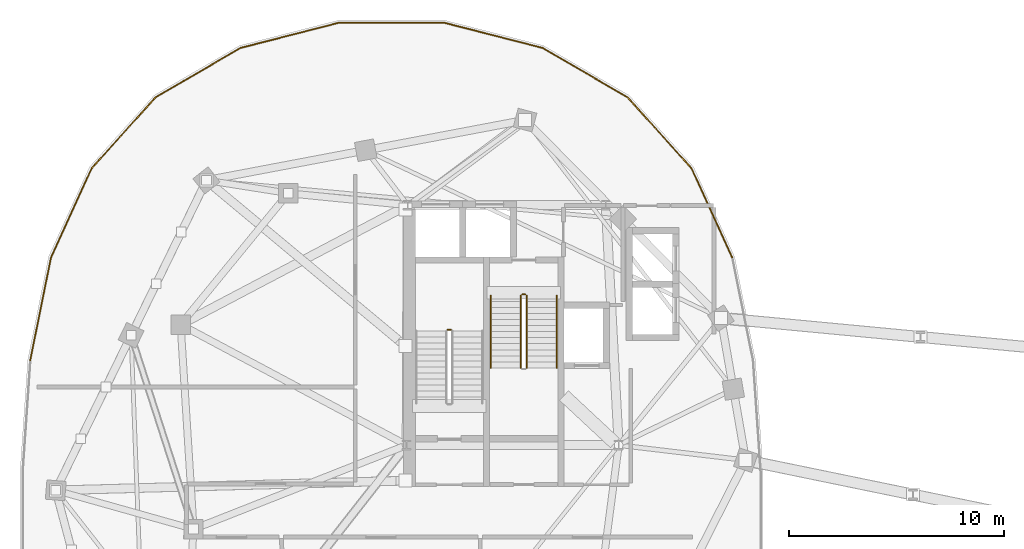
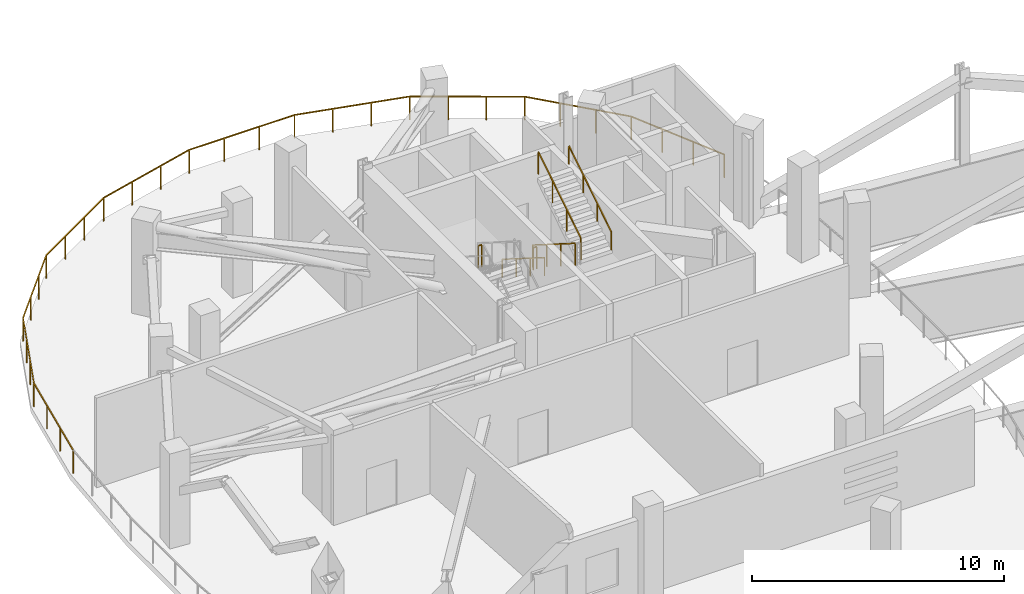
# One storey, part 13 of 16: 11 railings.
"""IFC4 building model written with IfcOpenShell, lengths in metres."""

import ifcopenshell
import ifcopenshell.guid

model = None  # the IFC model being written
_history = None  # IfcOwnerHistory: only IFC2X3 demands one
_inside = {}  # id of a spatial element -> (the spatial element, [elements in it])
_under = {}  # id of a project, library or spatial element -> (it, [spatial elements below it])
_declared = {}  # id of a project -> (the project, [libraries it declares])
_typed = {}  # id of a type object -> (the type object, [elements of that type])
_made_of = {}  # id of a material, layer set ... -> (it, [elements and type objects made of it])


def new_model(schema):
    """Start an empty IFC model of exactly this schema.

    Asked for "IFC4X3", IfcOpenShell would pick the latest addendum, in which some entities
    have other attributes; the version numbers below select the first issue.
    IFC2X3 requires an IfcOwnerHistory on every rooted entity: one is made here for all.
    """
    global model, _history
    if schema == "IFC4X3":
        model = ifcopenshell.file(schema_version=(4, 3, 0, 0))
    else:
        model = ifcopenshell.file(schema=schema)
    _inside.clear()
    _under.clear()
    _declared.clear()
    _typed.clear()
    _made_of.clear()
    _history = None
    if model.schema == "IFC2X3":
        org = make("IfcOrganization", Name="unknown")
        user = make(
            "IfcPersonAndOrganization",
            ThePerson=make("IfcPerson", FamilyName="unknown"),
            TheOrganization=org,
        )
        app = make(
            "IfcApplication",
            ApplicationDeveloper=org,
            Version="unknown",
            ApplicationFullName="unknown",
            ApplicationIdentifier="unknown",
        )
        _history = make(
            "IfcOwnerHistory",
            OwningUser=user,
            OwningApplication=app,
            ChangeAction="ADDED",
            CreationDate=0,
        )
    return model


def make(cls, **values):
    """One entity of the class cls with the attributes given. An attribute that is None is left unset."""
    return model.create_entity(
        cls, **{name: value for name, value in values.items() if value is not None}
    )


def rooted(cls, **values):
    """An entity with a GlobalId (a new one), such as an element, a storey or a relation."""
    return make(cls, GlobalId=ifcopenshell.guid.new(), OwnerHistory=_history, **values)


def si_unit(unit_type, name, prefix=None):
    """IfcSIUnit, for example si_unit("LENGTHUNIT", "METRE", prefix="MILLI")."""
    return make("IfcSIUnit", UnitType=unit_type, Prefix=prefix, Name=name)


def assignment(units):
    """IfcUnitAssignment: the units of a project."""
    return None if units is None else make("IfcUnitAssignment", Units=units)


def point(xyz):
    """IfcCartesianPoint."""
    return None if xyz is None else make("IfcCartesianPoint", Coordinates=xyz)


def direction(xyz):
    """IfcDirection."""
    return None if xyz is None else make("IfcDirection", DirectionRatios=xyz)


def frame(location, z_axis=None, x_axis=None):
    """IfcAxis2Placement3D, a coordinate frame: its origin and axes. An axis left out is left unset."""
    return make(
        "IfcAxis2Placement3D",
        Location=point(location),
        Axis=direction(z_axis),
        RefDirection=direction(x_axis),
    )


def frame_2d(location, x_axis=None):
    """IfcAxis2Placement2D, a coordinate frame in the plane: its origin and x axis."""
    return make(
        "IfcAxis2Placement2D", Location=point(location), RefDirection=direction(x_axis)
    )


def origin():
    """The frame at (0, 0, 0) with its axes left unset."""
    return frame((0.0, 0.0, 0.0))


def origin_2d():
    """The frame at (0, 0) in the plane with its x axis left unset."""
    return frame_2d((0.0, 0.0))


def place(relative_to, where):
    """IfcLocalPlacement: puts the frame where relative to a parent placement (None: the world)."""
    return make(
        "IfcLocalPlacement", PlacementRelTo=relative_to, RelativePlacement=where
    )


def context(
    kind, dimensions, precision=None, world=None, true_north=None, identifier=None
):
    """IfcGeometricRepresentationContext, for example the 3D "Model" context."""
    return make(
        "IfcGeometricRepresentationContext",
        ContextIdentifier=identifier,
        ContextType=kind,
        CoordinateSpaceDimension=dimensions,
        Precision=precision,
        WorldCoordinateSystem=world,
        TrueNorth=true_north,
    )


def subcontext(parent, identifier, kind, view, scale=None):
    """IfcGeometricRepresentationSubContext, for example "Body" below "Model"."""
    return make(
        "IfcGeometricRepresentationSubContext",
        ContextIdentifier=identifier,
        ContextType=kind,
        ParentContext=parent,
        TargetScale=scale,
        TargetView=view,
    )


def project(units=None, contexts=None):
    """IfcProject with its units and contexts."""
    return rooted(
        "IfcProject",
        Name="project",
        RepresentationContexts=contexts,
        UnitsInContext=assignment(units),
    )


def spatial(cls, under=None, at=None, **own):
    """A site, building, storey or space (cls), placed at a placement, below another one or the project."""
    s = rooted(cls, ObjectPlacement=at, **own)
    if under is not None:
        _under.setdefault(under.id(), (under, []))[1].append(s)
    return s


def profile(cls, at=None, kind="AREA", **sizes):
    """A parametric profile (cls). Its sizes go by their IFC names, for example OverallWidth=200.0."""
    return make(cls, ProfileType=kind, Position=at, **sizes)


def rectangle(**sizes):
    """IfcRectangleProfileDef."""
    return profile("IfcRectangleProfileDef", **sizes)


def extrude(swept, where, along, depth):
    """IfcExtrudedAreaSolid: the profile swept, set in the frame where, extruded along a direction by depth."""
    return make(
        "IfcExtrudedAreaSolid",
        SweptArea=swept,
        Position=where,
        ExtrudedDirection=direction(along),
        Depth=depth,
    )


def shape(context_of_items, identifier, shape_type, items):
    """IfcShapeRepresentation: the items that make up one representation, for example the "Body"."""
    return make(
        "IfcShapeRepresentation",
        ContextOfItems=context_of_items,
        RepresentationIdentifier=identifier,
        RepresentationType=shape_type,
        Items=items,
    )


def material(Name=None, Category=None):
    """IfcMaterial."""
    return make("IfcMaterial", Name=Name, Category=Category)


def made_of(thing, what):
    """Note that an element or type object is made of a material, layer set ...; save() writes the relation."""
    if what is not None:
        _made_of.setdefault(what.id(), (what, []))[1].append(thing)
    return thing


def type_object(cls, material=None, **own):
    """A type object (cls), such as IfcWallType, which elements share."""
    return made_of(rooted(cls, **own), material)


def element(
    cls,
    number,
    at=None,
    inside=None,
    cuts=None,
    type_object=None,
    material=None,
    context=None,
    identifier="Body",
    shape_type=None,
    held_by="IfcProductDefinitionShape",
    body=None,
    shapes=None,
    **own,
):
    """One element of the class cls, such as IfcWall. Its Tag is "e" and its number.

    at: its placement. inside: the storey or other place that contains it. cuts: it is an
    opening in that element (IfcRelVoidsElement). A single representation is given by context,
    identifier, shape_type and body (its items); several are given by shapes. held_by: the class
    of the entity that holds the representations. save() writes the other relations.
    """
    e = rooted(cls, Tag="e%d" % number, ObjectPlacement=at, **own)
    if body is not None:
        shapes = [shape(context, identifier, shape_type, body)]
    if shapes is not None:
        e.Representation = make(held_by, Representations=shapes)
    if inside is not None:
        _inside.setdefault(inside.id(), (inside, []))[1].append(e)
    if cuts is not None:
        rooted(
            "IfcRelVoidsElement", RelatingBuildingElement=cuts, RelatedOpeningElement=e
        )
    if type_object is not None:
        _typed.setdefault(type_object.id(), (type_object, []))[1].append(e)
    return made_of(e, material)


def aggregate(whole, parts):
    """IfcRelAggregates: a whole, such as a stair, and the parts it consists of."""
    return rooted("IfcRelAggregates", RelatingObject=whole, RelatedObjects=parts)


def save(model, path):
    """Write the relations noted so far, then the file.

    IfcRelAggregates (storeys below a building ...), IfcRelContainedInSpatialStructure (elements
    in a storey), IfcRelDefinesByType, IfcRelAssociatesMaterial and IfcRelDeclares: one each for
    every whole, place, type object, material and project.
    """
    for whole, parts in _under.values():
        aggregate(whole, parts)
    for where, things in _inside.values():
        rooted(
            "IfcRelContainedInSpatialStructure",
            RelatedElements=things,
            RelatingStructure=where,
        )
    for kind, things in _typed.values():
        rooted("IfcRelDefinesByType", RelatedObjects=things, RelatingType=kind)
    for what, things in _made_of.values():
        rooted("IfcRelAssociatesMaterial", RelatedObjects=things, RelatingMaterial=what)
    for by, libraries in _declared.values():
        rooted("IfcRelDeclares", RelatingContext=by, RelatedDefinitions=libraries)
    model.write(path)


model = new_model("IFC4")

# Units and contexts
model_context = context("Model", 3, precision=1e-05, world=origin(), true_north=direction((0.0, 1.0)))
body_context = subcontext(model_context, "Body", "Model", "MODEL_VIEW")
ifc_project = project(units=[si_unit("LENGTHUNIT", "METRE"), si_unit("AREAUNIT", "SQUARE_METRE"), si_unit("VOLUMEUNIT", "CUBIC_METRE"), si_unit("PLANEANGLEUNIT", "RADIAN"), si_unit("MASSUNIT", "GRAM", prefix="KILO"), si_unit("THERMODYNAMICTEMPERATUREUNIT", "KELVIN"), si_unit("POWERUNIT", "WATT")], contexts=[model_context])

# Site, building, storey
site_placement = place(None, origin())
site = spatial("IfcSite", under=ifc_project, at=site_placement, CompositionType="ELEMENT")
building_placement = place(site_placement, origin())
building = spatial("IfcBuilding", under=site, at=building_placement, Name="Cundina Bronze Exchange", CompositionType="ELEMENT")
storey_placement = place(building_placement, frame((0.0, 0.0, 235.0)))
storey = spatial("IfcBuildingStorey", under=building, at=storey_placement, Name="L62", CompositionType="ELEMENT", Elevation=235.0)

# Railings
ifc_material_1 = material(Name="Anodised Bronze Aluminium 6063-T6", Category="aluminium")
railing_type_1 = type_object("IfcRailingType", Name="RLG-GRD-1150", PredefinedType="GUARDRAIL", material=ifc_material_1)
railing_1_placement = place(storey_placement, frame((-48.785888671875, 7.844970703125, 0.0)))
element("IfcRailing", 1, at=railing_1_placement, inside=storey, type_object=railing_type_1, Name="L62 Perimeter Safety Guardrail 09", PredefinedType="GUARDRAIL", context=body_context, shape_type="SweptSolid", body=[
    extrude(rectangle(XDim=0.048095703125, YDim=0.048095703125, at=origin_2d()), frame((0.0, 0.0, 1.1259765625), z_axis=(0.198060616224, 0.980189773616, 0.0), x_axis=(-0.980189773616, 0.198060616224, 0.0)), (0.0, 0.0, 1.0), 4.87646484375),
    extrude(rectangle(XDim=0.048095703125, YDim=0.048095703125, at=origin_2d()), frame((0.9658203125, 4.77978515625, 1.1259765625), z_axis=(0.415419797692, 0.909629810244, 0.0), x_axis=(-0.909629810244, 0.415419797692, 0.0)), (0.0, 0.0, 1.0), 4.548828125),
    extrude(rectangle(XDim=0.0419921875, YDim=0.0419921875, at=origin_2d()), origin(), (0.0, 0.0, 1.0), 1.101806640625),
    extrude(rectangle(XDim=0.0419921875, YDim=0.0419921875, at=origin_2d()), frame((0.322021484375, 1.59326171875, 0.0)), (0.0, 0.0, 1.0), 1.101806640625),
    extrude(rectangle(XDim=0.0419921875, YDim=0.0419921875, at=origin_2d()), frame((0.643798828125, 3.1865234375, 0.0)), (0.0, 0.0, 1.0), 1.101806640625),
    extrude(rectangle(XDim=0.0419921875, YDim=0.0419921875, at=origin_2d()), frame((0.9658203125, 4.77978515625, 0.0)), (0.0, 0.0, 1.0), 1.101806640625),
    extrude(rectangle(XDim=0.0419921875, YDim=0.0419921875, at=origin_2d()), frame((1.595703125, 6.158935546875, 0.0)), (0.0, 0.0, 1.0), 1.101806640625),
    extrude(rectangle(XDim=0.0419921875, YDim=0.0419921875, at=origin_2d()), frame((2.2255859375, 7.538330078125, 0.0)), (0.0, 0.0, 1.0), 1.101806640625),
    extrude(rectangle(XDim=0.0419921875, YDim=0.0419921875, at=origin_2d()), frame((2.85546875, 8.91748046875, 0.0)), (0.0, 0.0, 1.0), 1.101806640625),
])
railing_2_placement = place(storey_placement, frame((-45.930419921875, 16.762451171875, 0.0)))
element("IfcRailing", 2, at=railing_2_placement, inside=storey, type_object=railing_type_1, Name="L62 Perimeter Safety Guardrail 10", PredefinedType="GUARDRAIL", context=body_context, shape_type="SweptSolid", body=[
    extrude(rectangle(XDim=0.048095703125, YDim=0.048095703125, at=origin_2d()), frame((0.0, 0.0, 1.1259765625), z_axis=(0.669381252421, 0.742919066189, 0.0), x_axis=(-0.742919066189, 0.669381252421, 0.0)), (0.0, 0.0, 1.0), 4.435546875),
    extrude(rectangle(XDim=0.048095703125, YDim=0.048095703125, at=origin_2d()), frame((2.968994140625, 3.295166015625, 1.1259765625), z_axis=(0.864468804017, 0.502686469762, 0.0), x_axis=(-0.502686469762, 0.864468804017, 0.0)), (0.0, 0.0, 1.0), 4.56396484375),
    extrude(rectangle(XDim=0.0419921875, YDim=0.0419921875, at=origin_2d()), origin(), (0.0, 0.0, 1.0), 1.101806640625),
    extrude(rectangle(XDim=0.0419921875, YDim=0.0419921875, at=origin_2d()), frame((0.98974609375, 1.098388671875, 0.0)), (0.0, 0.0, 1.0), 1.101806640625),
    extrude(rectangle(XDim=0.0419921875, YDim=0.0419921875, at=origin_2d()), frame((1.979248046875, 2.19677734375, 0.0)), (0.0, 0.0, 1.0), 1.101806640625),
    extrude(rectangle(XDim=0.0419921875, YDim=0.0419921875, at=origin_2d()), frame((2.968994140625, 3.295166015625, 0.0)), (0.0, 0.0, 1.0), 1.101806640625),
    extrude(rectangle(XDim=0.0419921875, YDim=0.0419921875, at=origin_2d()), frame((4.2841796875, 4.059814453125, 0.0)), (0.0, 0.0, 1.0), 1.101806640625),
    extrude(rectangle(XDim=0.0419921875, YDim=0.0419921875, at=origin_2d()), frame((5.59912109375, 4.82470703125, 0.0)), (0.0, 0.0, 1.0), 1.101806640625),
    extrude(rectangle(XDim=0.0419921875, YDim=0.0419921875, at=origin_2d()), frame((6.914306640625, 5.58935546875, 0.0)), (0.0, 0.0, 1.0), 1.101806640625),
])
railing_3_placement = place(storey_placement, frame((-39.01611328125, 22.351806640625, 0.0)))
element("IfcRailing", 3, at=railing_3_placement, inside=storey, type_object=railing_type_1, Name="L62 Perimeter Safety Guardrail 11", PredefinedType="GUARDRAIL", context=body_context, shape_type="SweptSolid", body=[
    extrude(rectangle(XDim=0.048095703125, YDim=0.048095703125, at=origin_2d()), frame((0.0, 0.0, 1.1259765625), z_axis=(0.968744989664, 0.248058753123, 0.0), x_axis=(-0.248058753123, 0.968744989664, 0.0)), (0.0, 0.0, 1.0), 4.749755859375),
    extrude(rectangle(XDim=0.048095703125, YDim=0.048095703125, at=origin_2d()), frame((4.601318359375, 1.17822265625, 1.1259765625), z_axis=(1.0, 0.0, 0.0), x_axis=(0.0, 1.0, 0.0)), (0.0, 0.0, 1.0), 4.82958984375),
    extrude(rectangle(XDim=0.0419921875, YDim=0.0419921875, at=origin_2d()), origin(), (0.0, 0.0, 1.0), 1.101806640625),
    extrude(rectangle(XDim=0.0419921875, YDim=0.0419921875, at=origin_2d()), frame((1.53369140625, 0.392822265625, 0.0)), (0.0, 0.0, 1.0), 1.101806640625),
    extrude(rectangle(XDim=0.0419921875, YDim=0.0419921875, at=origin_2d()), frame((3.067626953125, 0.785400390625, 0.0)), (0.0, 0.0, 1.0), 1.101806640625),
    extrude(rectangle(XDim=0.0419921875, YDim=0.0419921875, at=origin_2d()), frame((4.601318359375, 1.17822265625, 0.0)), (0.0, 0.0, 1.0), 1.101806640625),
    extrude(rectangle(XDim=0.0419921875, YDim=0.0419921875, at=origin_2d()), frame((6.211181640625, 1.17822265625, 0.0)), (0.0, 0.0, 1.0), 1.101806640625),
    extrude(rectangle(XDim=0.0419921875, YDim=0.0419921875, at=origin_2d()), frame((7.821044921875, 1.17822265625, 0.0)), (0.0, 0.0, 1.0), 1.101806640625),
    extrude(rectangle(XDim=0.0419921875, YDim=0.0419921875, at=origin_2d()), frame((9.430908203125, 1.17822265625, 0.0)), (0.0, 0.0, 1.0), 1.101806640625),
])
railing_4_placement = place(storey_placement, frame((-29.585205078125, 23.530029296875, 0.0)))
element("IfcRailing", 4, at=railing_4_placement, inside=storey, type_object=railing_type_1, Name="L62 Perimeter Safety Guardrail 12", PredefinedType="GUARDRAIL", context=body_context, shape_type="SweptSolid", body=[
    extrude(rectangle(XDim=0.048095703125, YDim=0.048095703125, at=origin_2d()), frame((0.0, 0.0, 1.1259765625), z_axis=(0.968744989664, -0.248058753123, 0.0), x_axis=(0.248058753123, 0.968744989664, 0.0)), (0.0, 0.0, 1.0), 4.749755859375),
    extrude(rectangle(XDim=0.048095703125, YDim=0.048095703125, at=origin_2d()), frame((4.601318359375, -1.17822265625, 1.1259765625), z_axis=(0.864468804017, -0.502686469762, 0.0), x_axis=(0.502686469762, 0.864468804017, 0.0)), (0.0, 0.0, 1.0), 4.56396484375),
    extrude(rectangle(XDim=0.0419921875, YDim=0.0419921875, at=origin_2d()), origin(), (0.0, 0.0, 1.0), 1.101806640625),
    extrude(rectangle(XDim=0.0419921875, YDim=0.0419921875, at=origin_2d()), frame((1.53369140625, -0.392822265625, 0.0)), (0.0, 0.0, 1.0), 1.101806640625),
    extrude(rectangle(XDim=0.0419921875, YDim=0.0419921875, at=origin_2d()), frame((3.067626953125, -0.785400390625, 0.0)), (0.0, 0.0, 1.0), 1.101806640625),
    extrude(rectangle(XDim=0.0419921875, YDim=0.0419921875, at=origin_2d()), frame((4.601318359375, -1.17822265625, 0.0)), (0.0, 0.0, 1.0), 1.101806640625),
    extrude(rectangle(XDim=0.0419921875, YDim=0.0419921875, at=origin_2d()), frame((5.91650390625, -1.94287109375, 0.0)), (0.0, 0.0, 1.0), 1.101806640625),
    extrude(rectangle(XDim=0.0419921875, YDim=0.0419921875, at=origin_2d()), frame((7.2314453125, -2.707763671875, 0.0)), (0.0, 0.0, 1.0), 1.101806640625),
    extrude(rectangle(XDim=0.0419921875, YDim=0.0419921875, at=origin_2d()), frame((8.546630859375, -3.472412109375, 0.0)), (0.0, 0.0, 1.0), 1.101806640625),
])
railing_5_placement = place(storey_placement, frame((-21.03857421875, 20.0576171875, 0.0)))
element("IfcRailing", 5, at=railing_5_placement, inside=storey, type_object=railing_type_1, Name="L62 Perimeter Safety Guardrail 13", PredefinedType="GUARDRAIL", context=body_context, shape_type="SweptSolid", body=[
    extrude(rectangle(XDim=0.048095703125, YDim=0.048095703125, at=origin_2d()), frame((0.0, 0.0, 1.1259765625), z_axis=(0.669381252421, -0.742919066189, 0.0), x_axis=(0.742919066189, 0.669381252421, 0.0)), (0.0, 0.0, 1.0), 4.435546875),
    extrude(rectangle(XDim=0.048095703125, YDim=0.048095703125, at=origin_2d()), frame((2.968994140625, -3.295166015625, 1.1259765625), z_axis=(0.415419797692, -0.909629810244, 0.0), x_axis=(0.909629810244, 0.415419797692, 0.0)), (0.0, 0.0, 1.0), 4.548828125),
    extrude(rectangle(XDim=0.0419921875, YDim=0.0419921875, at=origin_2d()), origin(), (0.0, 0.0, 1.0), 1.101806640625),
    extrude(rectangle(XDim=0.0419921875, YDim=0.0419921875, at=origin_2d()), frame((0.98974609375, -1.098388671875, 0.0)), (0.0, 0.0, 1.0), 1.101806640625),
    extrude(rectangle(XDim=0.0419921875, YDim=0.0419921875, at=origin_2d()), frame((1.979248046875, -2.19677734375, 0.0)), (0.0, 0.0, 1.0), 1.101806640625),
    extrude(rectangle(XDim=0.0419921875, YDim=0.0419921875, at=origin_2d()), frame((2.968994140625, -3.295166015625, 0.0)), (0.0, 0.0, 1.0), 1.101806640625),
    extrude(rectangle(XDim=0.0419921875, YDim=0.0419921875, at=origin_2d()), frame((3.598876953125, -4.67431640625, 0.0)), (0.0, 0.0, 1.0), 1.101806640625),
    extrude(rectangle(XDim=0.0419921875, YDim=0.0419921875, at=origin_2d()), frame((4.228759765625, -6.0537109375, 0.0)), (0.0, 0.0, 1.0), 1.101806640625),
    extrude(rectangle(XDim=0.0419921875, YDim=0.0419921875, at=origin_2d()), frame((4.858642578125, -7.432861328125, 0.0)), (0.0, 0.0, 1.0), 1.101806640625),
])
ifc_material_2 = material(Name="Steel ASTM A36 Painted", Category="steel")
railing_type_2 = type_object("IfcRailingType", Name="RLG-HND-900", PredefinedType="HANDRAIL", material=ifc_material_2)
railing_6_placement = place(storey_placement, frame((-27.389892578125, 10.85009765625, 0.177001953125)))
element("IfcRailing", 6, at=railing_6_placement, inside=storey, type_object=railing_type_2, Name="L62 ST-W2 stair handrail 1", PredefinedType="HANDRAIL", context=body_context, shape_type="SweptSolid", body=[
    extrude(rectangle(XDim=0.048095703125, YDim=0.048095703125, at=origin_2d()), frame((0.0, 0.0, 0.8759765625), z_axis=(0.0, -0.845389635667, 0.534150132366), x_axis=(1.0, 0.0, 0.0)), (0.0, 0.0, 1.0), 3.974609375),
    extrude(rectangle(XDim=0.0419921875, YDim=0.0419921875, at=origin_2d()), origin(), (0.0, 0.0, 1.0), 0.851806640625),
    extrude(rectangle(XDim=0.0419921875, YDim=0.0419921875, at=origin_2d()), frame((0.0, -1.1201171875, 0.707763671875)), (0.0, 0.0, 1.0), 0.851806640625),
    extrude(rectangle(XDim=0.0419921875, YDim=0.0419921875, at=origin_2d()), frame((0.0, -2.239990234375, 1.415283203125)), (0.0, 0.0, 1.0), 0.851806640625),
    extrude(rectangle(XDim=0.0419921875, YDim=0.0419921875, at=origin_2d()), frame((0.0, -3.360107421875, 2.123046875)), (0.0, 0.0, 1.0), 0.851806640625),
])
railing_7_placement = place(storey_placement, frame((-24.330078125, 7.489990234375, 2.476806640625)))
element("IfcRailing", 7, at=railing_7_placement, inside=storey, type_object=railing_type_2, Name="L62 ST-W2 stair handrail 2", PredefinedType="HANDRAIL", context=body_context, shape_type="SweptSolid", body=[
    extrude(rectangle(XDim=0.048095703125, YDim=0.048095703125, at=origin_2d()), frame((0.0, 0.0, 0.8759765625), z_axis=(0.0, 0.845361898145, 0.534194029511), x_axis=(-1.0, 0.0, 0.0)), (0.0, 0.0, 1.0), 3.974853515625),
    extrude(rectangle(XDim=0.0419921875, YDim=0.0419921875, at=origin_2d()), origin(), (0.0, 0.0, 1.0), 0.851806640625),
    extrude(rectangle(XDim=0.0419921875, YDim=0.0419921875, at=origin_2d()), frame((0.0, 1.1201171875, 0.707763671875)), (0.0, 0.0, 1.0), 0.851806640625),
    extrude(rectangle(XDim=0.0419921875, YDim=0.0419921875, at=origin_2d()), frame((0.0, 2.239990234375, 1.41552734375)), (0.0, 0.0, 1.0), 0.851806640625),
    extrude(rectangle(XDim=0.0419921875, YDim=0.0419921875, at=origin_2d()), frame((0.0, 3.360107421875, 2.123291015625)), (0.0, 0.0, 1.0), 0.851806640625),
])
railing_type_3 = type_object("IfcRailingType", Name="RLG-STG-1100", PredefinedType="GUARDRAIL", material=ifc_material_2)
railing_8_placement = place(storey_placement, frame((-29.239990234375, 9.260009765625, 2.300048828125)))
element("IfcRailing", 8, at=railing_8_placement, inside=storey, type_object=railing_type_3, Name="L62 ST-W1 stair guard 2", PredefinedType="GUARDRAIL", context=body_context, shape_type="SweptSolid", body=[
    extrude(rectangle(XDim=0.048095703125, YDim=0.048095703125, at=origin_2d()), frame((0.0, 0.0, 1.076171875), z_axis=(-1.0, 0.0, 0.0), x_axis=(0.0, -1.0, 0.0)), (0.0, 0.0, 1.0), 0.159912109375),
    extrude(rectangle(XDim=0.0419921875, YDim=0.0419921875, at=origin_2d()), origin(), (0.0, 0.0, 1.0), 1.052001953125),
    extrude(rectangle(XDim=0.0419921875, YDim=0.0419921875, at=origin_2d()), frame((-0.159912109375, 0.0, 0.0)), (0.0, 0.0, 1.0), 1.052001953125),
])
railing_9_placement = place(storey_placement, frame((-25.989990234375, 10.85009765625, 0.177001953125)))
element("IfcRailing", 9, at=railing_9_placement, inside=storey, type_object=railing_type_3, Name="L62 ST-W2 stair guard 1", PredefinedType="GUARDRAIL", context=body_context, shape_type="SweptSolid", body=[
    extrude(rectangle(XDim=0.048095703125, YDim=0.048095703125, at=origin_2d()), frame((0.0, 0.0, 1.076171875), z_axis=(0.0, -0.845389635667, 0.534150132366), x_axis=(1.0, 0.0, 0.0)), (0.0, 0.0, 1.0), 3.974609375),
    extrude(rectangle(XDim=0.0419921875, YDim=0.0419921875, at=origin_2d()), origin(), (0.0, 0.0, 1.0), 1.052001953125),
    extrude(rectangle(XDim=0.0419921875, YDim=0.0419921875, at=origin_2d()), frame((0.0, -1.1201171875, 0.707763671875)), (0.0, 0.0, 1.0), 1.052001953125),
    extrude(rectangle(XDim=0.0419921875, YDim=0.0419921875, at=origin_2d()), frame((0.0, -2.239990234375, 1.415283203125)), (0.0, 0.0, 1.0), 1.052001953125),
    extrude(rectangle(XDim=0.0419921875, YDim=0.0419921875, at=origin_2d()), frame((0.0, -3.360107421875, 2.123046875)), (0.0, 0.0, 1.0), 1.052001953125),
])
railing_10_placement = place(storey_placement, frame((-25.72998046875, 7.489990234375, 2.476806640625)))
element("IfcRailing", 10, at=railing_10_placement, inside=storey, type_object=railing_type_3, Name="L62 ST-W2 stair guard 3", PredefinedType="GUARDRAIL", context=body_context, shape_type="SweptSolid", body=[
    extrude(rectangle(XDim=0.048095703125, YDim=0.048095703125, at=origin_2d()), frame((0.0, 0.0, 1.076171875), z_axis=(0.0, 0.845361898145, 0.534194029511), x_axis=(-1.0, 0.0, 0.0)), (0.0, 0.0, 1.0), 3.974853515625),
    extrude(rectangle(XDim=0.0419921875, YDim=0.0419921875, at=origin_2d()), origin(), (0.0, 0.0, 1.0), 1.052001953125),
    extrude(rectangle(XDim=0.0419921875, YDim=0.0419921875, at=origin_2d()), frame((0.0, 1.1201171875, 0.707763671875)), (0.0, 0.0, 1.0), 1.052001953125),
    extrude(rectangle(XDim=0.0419921875, YDim=0.0419921875, at=origin_2d()), frame((0.0, 2.239990234375, 1.41552734375)), (0.0, 0.0, 1.0), 1.052001953125),
    extrude(rectangle(XDim=0.0419921875, YDim=0.0419921875, at=origin_2d()), frame((0.0, 3.360107421875, 2.123291015625)), (0.0, 0.0, 1.0), 1.052001953125),
])
railing_11_placement = place(storey_placement, frame((-25.93994140625, 10.89990234375, 0.0)))
element("IfcRailing", 11, at=railing_11_placement, inside=storey, type_object=railing_type_3, Name="L62 ST-W2 stair guard 4", PredefinedType="GUARDRAIL", context=body_context, shape_type="SweptSolid", body=[
    extrude(rectangle(XDim=0.048095703125, YDim=0.048095703125, at=origin_2d()), frame((0.0, 0.0, 1.076171875), z_axis=(1.0, 0.0, 0.0), x_axis=(0.0, 1.0, 0.0)), (0.0, 0.0, 1.0), 0.159912109375),
    extrude(rectangle(XDim=0.0419921875, YDim=0.0419921875, at=origin_2d()), origin(), (0.0, 0.0, 1.0), 1.052001953125),
    extrude(rectangle(XDim=0.0419921875, YDim=0.0419921875, at=origin_2d()), frame((0.159912109375, 0.0, 0.0)), (0.0, 0.0, 1.0), 1.052001953125),
])

save(model, "model.ifc")
